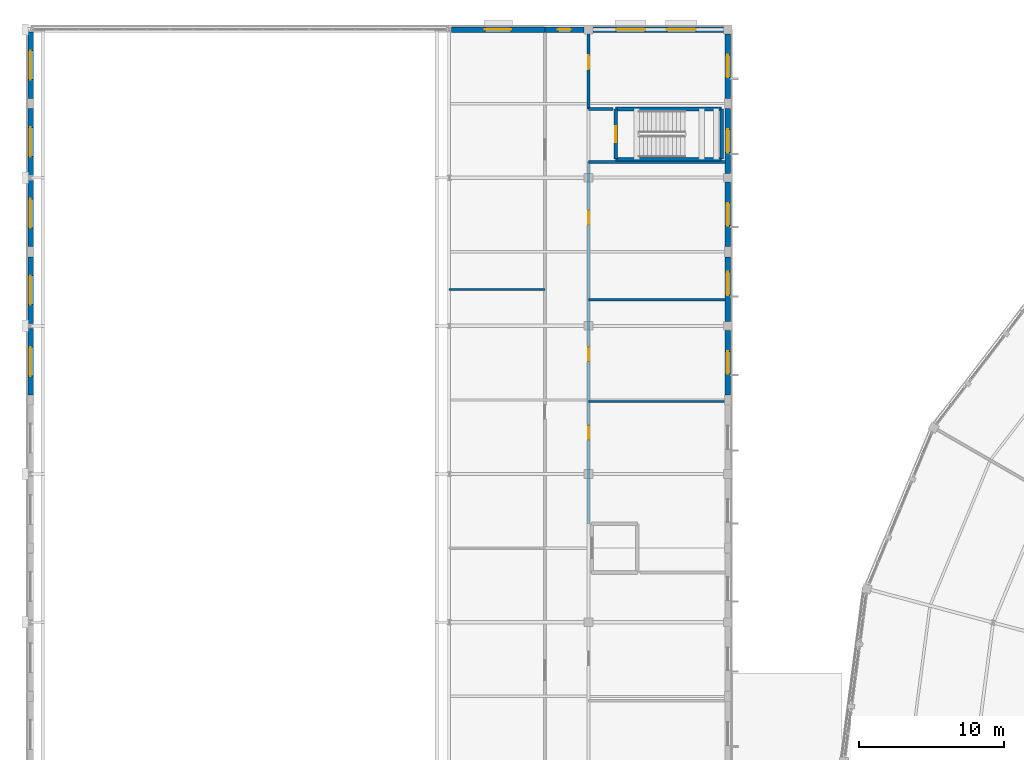
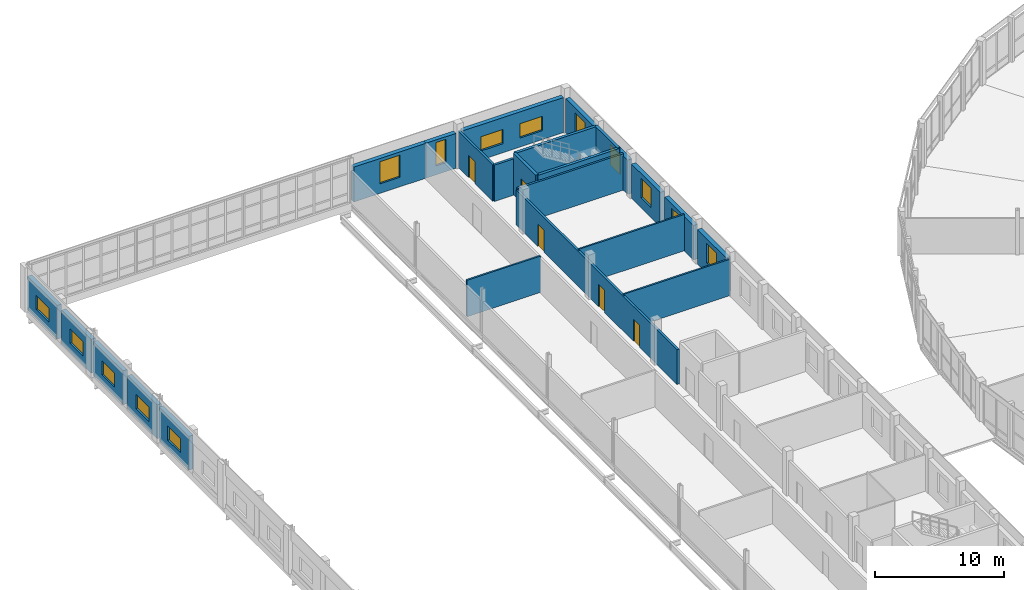
# One storey, part 143 of 170: 24 walls, 14 windows, 5 doors, 19 openings.
"""IFC4 building model written with IfcOpenShell, lengths in metres."""

from ifc_helpers import new_model, si_unit, direction, frame, frame_2d, origin, place, context, subcontext, project, spatial, rectangle, extrude, material, layer, layer_set, type_object, element, fill, save


model = new_model("IFC4")

# Units and contexts
model_context = context("Model", 3, precision=1e-05, world=origin(), true_north=direction((0.0, 1.0)))
body_context = subcontext(model_context, "Body", "Model", "MODEL_VIEW")
ifc_project = project(units=[si_unit("LENGTHUNIT", "METRE"), si_unit("AREAUNIT", "SQUARE_METRE"), si_unit("VOLUMEUNIT", "CUBIC_METRE"), si_unit("PLANEANGLEUNIT", "RADIAN"), si_unit("MASSUNIT", "GRAM", prefix="KILO")], contexts=[model_context])

# Site, building, storey
site_placement = place(None, origin())
site = spatial("IfcSite", under=ifc_project, at=site_placement, CompositionType="ELEMENT")
building_placement = place(site_placement, origin())
building = spatial("IfcBuilding", under=site, at=building_placement, Name="Vondelvale Polytechnic", CompositionType="ELEMENT")
storey_placement = place(building_placement, frame((0.0, 0.0, 5.39990234375)))
storey = spatial("IfcBuildingStorey", under=building, at=storey_placement, Name="L01", CompositionType="ELEMENT", Elevation=5.39990234375)

# Wall, opening, window
ifc_material_1 = material(Name="Amsterdam School iron-spot clinker clay brickwork", Category="masonry")
ifc_layer_1 = layer(ifc_material_1, 0.3798828125)
ifc_layer_set_1 = layer_set([ifc_layer_1], Name="WL-BRICK-380")
wall_type_1 = type_object("IfcWallType", Name="WL-BRICK-380", PredefinedType="SOLIDWALL", material=ifc_layer_set_1)
wall_1_placement = place(storey_placement, frame((0.0, 97.2509765625, 0.0), z_axis=(0.0, 0.0, 1.0), x_axis=(0.0, 1.0, 0.0)))
wall_1 = element("IfcWall", 1, at=wall_1_placement, inside=storey, type_object=wall_type_1, Name="L01 exterior masonry facade wall", PredefinedType="SOLIDWALL", context=body_context, shape_type="SweptSolid", body=[
    extrude(rectangle(XDim=4.58447265625, YDim=0.3798828125, at=frame_2d((2.292236328125, 0.0))), origin(), (0.0, 0.0, 1.0), 3.2001953125),
])
opening_1_placement = place(wall_1_placement, frame((1.292236328125, 0.0, 0.85009765625)))
opening_1 = element("IfcOpeningElement", 2, at=opening_1_placement, cuts=wall_1, Name="Opening WN-0048", PredefinedType="OPENING", context=body_context, shape_type="SweptSolid", body=[
    extrude(rectangle(XDim=2.0, YDim=1.35009765625, at=frame_2d((1.0, 0.675048828125))), frame((0.0, 0.199951171875, 0.0), z_axis=(0.0, -1.0, 0.0), x_axis=(1.0, 0.0, 0.0)), (0.0, 0.0, 1.0), 0.39990234375),
])
ifc_material_2 = material(Name="Double-glazed low-E insulated architectural glass", Category="glass")
window_type_1 = type_object("IfcWindowType", Name="WN-RIB-2000x1350", PartitioningType="SINGLE_PANEL", PredefinedType="WINDOW", material=ifc_material_2)
window_1_placement = place(opening_1_placement, origin())
window_1 = element("IfcWindow", 3, at=window_1_placement, inside=storey, type_object=window_type_1, Name="L01 double-glazed architectural window WN-0048", OverallHeight=1.35009765625, OverallWidth=2.0, PartitioningType="SINGLE_PANEL", PredefinedType="WINDOW", context=body_context, shape_type="SweptSolid", body=[
    extrude(rectangle(XDim=2.0, YDim=1.35009765625, at=frame_2d((1.0, 0.675048828125))), frame((0.0, 0.030029296875, 0.0), z_axis=(0.0, -1.0, 0.0), x_axis=(1.0, 0.0, 0.0)), (0.0, 0.0, 1.0), 0.06005859375),
])
fill(opening_1, window_1)

wall_2_placement = place(storey_placement, frame((0.0, 102.16455078125, 0.0), z_axis=(0.0, 0.0, 1.0), x_axis=(0.0, 1.0, 0.0)))
wall_2 = element("IfcWall", 4, at=wall_2_placement, inside=storey, type_object=wall_type_1, Name="L01 exterior masonry facade wall", PredefinedType="SOLIDWALL", context=body_context, shape_type="SweptSolid", body=[
    extrude(rectangle(XDim=4.58447265625, YDim=0.3798828125, at=frame_2d((2.292236328125, 0.0))), origin(), (0.0, 0.0, 1.0), 3.2001953125),
])
opening_2_placement = place(wall_2_placement, frame((1.292236328125, 0.0, 0.85009765625)))
opening_2 = element("IfcOpeningElement", 5, at=opening_2_placement, cuts=wall_2, Name="Opening WN-0049", PredefinedType="OPENING", context=body_context, shape_type="SweptSolid", body=[
    extrude(rectangle(XDim=2.0, YDim=1.35009765625, at=frame_2d((1.0, 0.675048828125))), frame((0.0, 0.199951171875, 0.0), z_axis=(0.0, -1.0, 0.0), x_axis=(1.0, 0.0, 0.0)), (0.0, 0.0, 1.0), 0.39990234375),
])
window_2_placement = place(opening_2_placement, origin())
window_2 = element("IfcWindow", 6, at=window_2_placement, inside=storey, type_object=window_type_1, Name="L01 double-glazed architectural window WN-0049", OverallHeight=1.35009765625, OverallWidth=2.0, PartitioningType="SINGLE_PANEL", PredefinedType="WINDOW", context=body_context, shape_type="SweptSolid", body=[
    extrude(rectangle(XDim=2.0, YDim=1.35009765625, at=frame_2d((1.0, 0.675048828125))), frame((0.0, 0.030029296875, 0.0), z_axis=(0.0, -1.0, 0.0), x_axis=(1.0, 0.0, 0.0)), (0.0, 0.0, 1.0), 0.06005859375),
])
fill(opening_2, window_2)

wall_3_placement = place(storey_placement, frame((0.0, 107.450927734375, 0.0), z_axis=(0.0, 0.0, 1.0), x_axis=(0.0, 1.0, 0.0)))
wall_3 = element("IfcWall", 7, at=wall_3_placement, inside=storey, type_object=wall_type_1, Name="L01 exterior masonry facade wall", PredefinedType="SOLIDWALL", context=body_context, shape_type="SweptSolid", body=[
    extrude(rectangle(XDim=4.58447265625, YDim=0.3798828125, at=frame_2d((2.292236328125, 0.0))), origin(), (0.0, 0.0, 1.0), 3.2001953125),
])
opening_3_placement = place(wall_3_placement, frame((1.292236328125, 0.0, 0.85009765625)))
opening_3 = element("IfcOpeningElement", 8, at=opening_3_placement, cuts=wall_3, Name="Opening WN-0050", PredefinedType="OPENING", context=body_context, shape_type="SweptSolid", body=[
    extrude(rectangle(XDim=2.0, YDim=1.35009765625, at=frame_2d((1.0, 0.675048828125))), frame((0.0, 0.199951171875, 0.0), z_axis=(0.0, -1.0, 0.0), x_axis=(1.0, 0.0, 0.0)), (0.0, 0.0, 1.0), 0.39990234375),
])
window_3_placement = place(opening_3_placement, origin())
window_3 = element("IfcWindow", 9, at=window_3_placement, inside=storey, type_object=window_type_1, Name="L01 double-glazed architectural window WN-0050", OverallHeight=1.35009765625, OverallWidth=2.0, PartitioningType="SINGLE_PANEL", PredefinedType="WINDOW", context=body_context, shape_type="SweptSolid", body=[
    extrude(rectangle(XDim=2.0, YDim=1.35009765625, at=frame_2d((1.0, 0.675048828125))), frame((0.0, 0.030029296875, 0.0), z_axis=(0.0, -1.0, 0.0), x_axis=(1.0, 0.0, 0.0)), (0.0, 0.0, 1.0), 0.06005859375),
])
fill(opening_3, window_3)

wall_4_placement = place(storey_placement, frame((0.0, 112.364501953125, 0.0), z_axis=(0.0, 0.0, 1.0), x_axis=(0.0, 1.0, 0.0)))
wall_4 = element("IfcWall", 10, at=wall_4_placement, inside=storey, type_object=wall_type_1, Name="L01 exterior masonry facade wall", PredefinedType="SOLIDWALL", context=body_context, shape_type="SweptSolid", body=[
    extrude(rectangle(XDim=4.58447265625, YDim=0.3798828125, at=frame_2d((2.292236328125, 0.0))), origin(), (0.0, 0.0, 1.0), 3.2001953125),
])
opening_4_placement = place(wall_4_placement, frame((1.292236328125, 0.0, 0.85009765625)))
opening_4 = element("IfcOpeningElement", 11, at=opening_4_placement, cuts=wall_4, Name="Opening WN-0051", PredefinedType="OPENING", context=body_context, shape_type="SweptSolid", body=[
    extrude(rectangle(XDim=2.0, YDim=1.35009765625, at=frame_2d((1.0, 0.675048828125))), frame((0.0, 0.199951171875, 0.0), z_axis=(0.0, -1.0, 0.0), x_axis=(1.0, 0.0, 0.0)), (0.0, 0.0, 1.0), 0.39990234375),
])
window_4_placement = place(opening_4_placement, origin())
window_4 = element("IfcWindow", 12, at=window_4_placement, inside=storey, type_object=window_type_1, Name="L01 double-glazed architectural window WN-0051", OverallHeight=1.35009765625, OverallWidth=2.0, PartitioningType="SINGLE_PANEL", PredefinedType="WINDOW", context=body_context, shape_type="SweptSolid", body=[
    extrude(rectangle(XDim=2.0, YDim=1.35009765625, at=frame_2d((1.0, 0.675048828125))), frame((0.0, 0.030029296875, 0.0), z_axis=(0.0, -1.0, 0.0), x_axis=(1.0, 0.0, 0.0)), (0.0, 0.0, 1.0), 0.06005859375),
])
fill(opening_4, window_4)

wall_5_placement = place(storey_placement, frame((0.0, 117.65087890625, 0.0), z_axis=(0.0, 0.0, 1.0), x_axis=(0.0, 1.0, 0.0)))
wall_5 = element("IfcWall", 13, at=wall_5_placement, inside=storey, type_object=wall_type_1, Name="L01 exterior masonry facade wall", PredefinedType="SOLIDWALL", context=body_context, shape_type="SweptSolid", body=[
    extrude(rectangle(XDim=4.584716796875, YDim=0.3798828125, at=frame_2d((2.29248046875, 0.0))), origin(), (0.0, 0.0, 1.0), 3.2001953125),
])
opening_5_placement = place(wall_5_placement, frame((1.292236328125, 0.0, 0.85009765625)))
opening_5 = element("IfcOpeningElement", 14, at=opening_5_placement, cuts=wall_5, Name="Opening WN-0052", PredefinedType="OPENING", context=body_context, shape_type="SweptSolid", body=[
    extrude(rectangle(XDim=2.0, YDim=1.35009765625, at=frame_2d((1.0, 0.675048828125))), frame((0.0, 0.199951171875, 0.0), z_axis=(0.0, -1.0, 0.0), x_axis=(1.0, 0.0, 0.0)), (0.0, 0.0, 1.0), 0.39990234375),
])
window_5_placement = place(opening_5_placement, origin())
window_5 = element("IfcWindow", 15, at=window_5_placement, inside=storey, type_object=window_type_1, Name="L01 double-glazed architectural window WN-0052", OverallHeight=1.35009765625, OverallWidth=2.0, PartitioningType="SINGLE_PANEL", PredefinedType="WINDOW", context=body_context, shape_type="SweptSolid", body=[
    extrude(rectangle(XDim=2.0, YDim=1.35009765625, at=frame_2d((1.0, 0.675048828125))), frame((0.0, 0.030029296875, 0.0), z_axis=(0.0, -1.0, 0.0), x_axis=(1.0, 0.0, 0.0)), (0.0, 0.0, 1.0), 0.06005859375),
])
fill(opening_5, window_5)

wall_6_placement = place(storey_placement, frame((48.0, 101.698974609375, 0.0), z_axis=(0.0, 0.0, 1.0), x_axis=(0.0, -1.0, 0.0)))
wall_6 = element("IfcWall", 16, at=wall_6_placement, inside=storey, type_object=wall_type_1, Name="L01 exterior masonry facade wall", PredefinedType="SOLIDWALL", context=body_context, shape_type="SweptSolid", body=[
    extrude(rectangle(XDim=4.447998046875, YDim=0.3798828125, at=frame_2d((2.22412109375, 0.0))), origin(), (0.0, 0.0, 1.0), 3.25),
])
opening_6_placement = place(wall_6_placement, frame((1.448974609375, 0.0, 0.949951171875)))
opening_6 = element("IfcOpeningElement", 17, at=opening_6_placement, cuts=wall_6, Name="Opening WN-0062", PredefinedType="OPENING", context=body_context, shape_type="SweptSolid", body=[
    extrude(rectangle(XDim=1.550048828125, YDim=1.85009765625, at=frame_2d((0.77490234375, 0.925048828125))), frame((0.0, 0.199951171875, 0.0), z_axis=(0.0, -1.0, 0.0), x_axis=(1.0, 0.0, 0.0)), (0.0, 0.0, 1.0), 0.39990234375),
])
window_type_2 = type_object("IfcWindowType", Name="WN-SEM-1550x1850", PartitioningType="SINGLE_PANEL", PredefinedType="WINDOW", material=ifc_material_2)
window_6_placement = place(opening_6_placement, origin())
window_6 = element("IfcWindow", 18, at=window_6_placement, inside=storey, type_object=window_type_2, Name="L01 double-glazed architectural window WN-0062", OverallHeight=1.85009765625, OverallWidth=1.550048828125, PartitioningType="SINGLE_PANEL", PredefinedType="WINDOW", context=body_context, shape_type="SweptSolid", body=[
    extrude(rectangle(XDim=1.550048828125, YDim=1.85009765625, at=frame_2d((0.77490234375, 0.925048828125))), frame((0.0, 0.030029296875, 0.0), z_axis=(0.0, -1.0, 0.0), x_axis=(1.0, 0.0, 0.0)), (0.0, 0.0, 1.0), 0.06005859375),
])
fill(opening_6, window_6)

wall_7_placement = place(storey_placement, frame((48.0, 106.7490234375, 0.0), z_axis=(0.0, 0.0, 1.0), x_axis=(0.0, -1.0, 0.0)))
wall_7 = element("IfcWall", 19, at=wall_7_placement, inside=storey, type_object=wall_type_1, Name="L01 exterior masonry facade wall", PredefinedType="SOLIDWALL", context=body_context, shape_type="SweptSolid", body=[
    extrude(rectangle(XDim=4.447998046875, YDim=0.3798828125, at=frame_2d((2.22412109375, 0.0))), origin(), (0.0, 0.0, 1.0), 3.25),
])
opening_7_placement = place(wall_7_placement, frame((1.029052734375, 0.0, 0.949951171875)))
opening_7 = element("IfcOpeningElement", 20, at=opening_7_placement, cuts=wall_7, Name="Opening WN-0063", PredefinedType="OPENING", context=body_context, shape_type="SweptSolid", body=[
    extrude(rectangle(XDim=1.60009765625, YDim=1.89990234375, at=frame_2d((0.800048828125, 0.949951171875))), frame((0.0, 0.199951171875, 0.0), z_axis=(0.0, -1.0, 0.0), x_axis=(1.0, 0.0, 0.0)), (0.0, 0.0, 1.0), 0.39990234375),
])
window_type_3 = type_object("IfcWindowType", Name="WN-SEM-1600x1900", PartitioningType="SINGLE_PANEL", PredefinedType="WINDOW", material=ifc_material_2)
window_7_placement = place(opening_7_placement, origin())
window_7 = element("IfcWindow", 21, at=window_7_placement, inside=storey, type_object=window_type_3, Name="L01 double-glazed architectural window WN-0063", OverallHeight=1.89990234375, OverallWidth=1.60009765625, PartitioningType="SINGLE_PANEL", PredefinedType="WINDOW", context=body_context, shape_type="SweptSolid", body=[
    extrude(rectangle(XDim=1.60009765625, YDim=1.89990234375, at=frame_2d((0.800048828125, 0.949951171875))), frame((0.0, 0.030029296875, 0.0), z_axis=(0.0, -1.0, 0.0), x_axis=(1.0, 0.0, 0.0)), (0.0, 0.0, 1.0), 0.06005859375),
])
fill(opening_7, window_7)

wall_8_placement = place(storey_placement, frame((48.0, 111.89892578125, 0.0), z_axis=(0.0, 0.0, 1.0), x_axis=(0.0, -1.0, 0.0)))
wall_8 = element("IfcWall", 22, at=wall_8_placement, inside=storey, type_object=wall_type_1, Name="L01 exterior masonry facade wall", PredefinedType="SOLIDWALL", context=body_context, shape_type="SweptSolid", body=[
    extrude(rectangle(XDim=4.447998046875, YDim=0.3798828125, at=frame_2d((2.22412109375, 0.0))), origin(), (0.0, 0.0, 1.0), 3.25),
])
opening_8_placement = place(wall_8_placement, frame((1.448974609375, 0.0, 0.949951171875)))
opening_8 = element("IfcOpeningElement", 23, at=opening_8_placement, cuts=wall_8, Name="Opening WN-0064", PredefinedType="OPENING", context=body_context, shape_type="SweptSolid", body=[
    extrude(rectangle(XDim=1.550048828125, YDim=1.85009765625, at=frame_2d((0.77490234375, 0.925048828125))), frame((0.0, 0.199951171875, 0.0), z_axis=(0.0, -1.0, 0.0), x_axis=(1.0, 0.0, 0.0)), (0.0, 0.0, 1.0), 0.39990234375),
])
window_8_placement = place(opening_8_placement, origin())
window_8 = element("IfcWindow", 24, at=window_8_placement, inside=storey, type_object=window_type_2, Name="L01 double-glazed architectural window WN-0064", OverallHeight=1.85009765625, OverallWidth=1.550048828125, PartitioningType="SINGLE_PANEL", PredefinedType="WINDOW", context=body_context, shape_type="SweptSolid", body=[
    extrude(rectangle(XDim=1.550048828125, YDim=1.85009765625, at=frame_2d((0.77490234375, 0.925048828125))), frame((0.0, 0.030029296875, 0.0), z_axis=(0.0, -1.0, 0.0), x_axis=(1.0, 0.0, 0.0)), (0.0, 0.0, 1.0), 0.06005859375),
])
fill(opening_8, window_8)

wall_9_placement = place(storey_placement, frame((48.0, 116.948974609375, 0.0), z_axis=(0.0, 0.0, 1.0), x_axis=(0.0, -1.0, 0.0)))
wall_9 = element("IfcWall", 25, at=wall_9_placement, inside=storey, type_object=wall_type_1, Name="L01 exterior masonry facade wall", PredefinedType="SOLIDWALL", context=body_context, shape_type="SweptSolid", body=[
    extrude(rectangle(XDim=4.447998046875, YDim=0.3798828125, at=frame_2d((2.22412109375, 0.0))), origin(), (0.0, 0.0, 1.0), 3.25),
])
opening_9_placement = place(wall_9_placement, frame((1.424072265625, 0.0, 0.949951171875)))
opening_9 = element("IfcOpeningElement", 26, at=opening_9_placement, cuts=wall_9, Name="Opening WN-0065", PredefinedType="OPENING", context=body_context, shape_type="SweptSolid", body=[
    extrude(rectangle(XDim=1.60009765625, YDim=1.89990234375, at=frame_2d((0.800048828125, 0.949951171875))), frame((0.0, 0.199951171875, 0.0), z_axis=(0.0, -1.0, 0.0), x_axis=(1.0, 0.0, 0.0)), (0.0, 0.0, 1.0), 0.39990234375),
])
window_9_placement = place(opening_9_placement, origin())
window_9 = element("IfcWindow", 27, at=window_9_placement, inside=storey, type_object=window_type_3, Name="L01 double-glazed architectural window WN-0065", OverallHeight=1.89990234375, OverallWidth=1.60009765625, PartitioningType="SINGLE_PANEL", PredefinedType="WINDOW", context=body_context, shape_type="SweptSolid", body=[
    extrude(rectangle(XDim=1.60009765625, YDim=1.89990234375, at=frame_2d((0.800048828125, 0.949951171875))), frame((0.0, 0.030029296875, 0.0), z_axis=(0.0, -1.0, 0.0), x_axis=(1.0, 0.0, 0.0)), (0.0, 0.0, 1.0), 0.06005859375),
])
fill(opening_9, window_9)

wall_10_placement = place(storey_placement, frame((48.0, 122.09912109375, 0.0), z_axis=(0.0, 0.0, 1.0), x_axis=(0.0, -1.0, 0.0)))
wall_10 = element("IfcWall", 28, at=wall_10_placement, inside=storey, type_object=wall_type_1, Name="L01 exterior masonry facade wall", PredefinedType="SOLIDWALL", context=body_context, shape_type="SweptSolid", body=[
    extrude(rectangle(XDim=4.4482421875, YDim=0.3798828125, at=frame_2d((2.22412109375, 0.0))), origin(), (0.0, 0.0, 1.0), 3.25),
])
opening_10_placement = place(wall_10_placement, frame((1.448974609375, 0.0, 0.949951171875)))
opening_10 = element("IfcOpeningElement", 29, at=opening_10_placement, cuts=wall_10, Name="Opening WN-0066", PredefinedType="OPENING", context=body_context, shape_type="SweptSolid", body=[
    extrude(rectangle(XDim=1.550048828125, YDim=1.85009765625, at=frame_2d((0.77490234375, 0.925048828125))), frame((0.0, 0.199951171875, 0.0), z_axis=(0.0, -1.0, 0.0), x_axis=(1.0, 0.0, 0.0)), (0.0, 0.0, 1.0), 0.39990234375),
])
window_10_placement = place(opening_10_placement, origin())
window_10 = element("IfcWindow", 30, at=window_10_placement, inside=storey, type_object=window_type_2, Name="L01 double-glazed architectural window WN-0066", OverallHeight=1.85009765625, OverallWidth=1.550048828125, PartitioningType="SINGLE_PANEL", PredefinedType="WINDOW", context=body_context, shape_type="SweptSolid", body=[
    extrude(rectangle(XDim=1.550048828125, YDim=1.85009765625, at=frame_2d((0.77490234375, 0.925048828125))), frame((0.0, 0.030029296875, 0.0), z_axis=(0.0, -1.0, 0.0), x_axis=(1.0, 0.0, 0.0)), (0.0, 0.0, 1.0), 0.06005859375),
])
fill(opening_10, window_10)

wall_11_placement = place(storey_placement, frame((28.964599609375, 122.39990234375, 0.0), z_axis=(0.0, 0.0, 1.0), x_axis=(1.0, 0.0, 0.0)))
wall_11 = element("IfcWall", 31, at=wall_11_placement, inside=storey, type_object=wall_type_1, Name="L01 exterior masonry facade wall", PredefinedType="SOLIDWALL", context=body_context, shape_type="SweptSolid", body=[
    extrude(rectangle(XDim=6.435302734375, YDim=0.3798828125, at=frame_2d((3.2177734375, 0.0))), origin(), (0.0, 0.0, 1.0), 3.298095703125),
])
opening_11_placement = place(wall_11_placement, frame((2.31787109375, 0.0, 0.89990234375)))
opening_11 = element("IfcOpeningElement", 32, at=opening_11_placement, cuts=wall_11, Name="Opening WN-0077", PredefinedType="OPENING", context=body_context, shape_type="SweptSolid", body=[
    extrude(rectangle(XDim=1.800048828125, YDim=2.10009765625, at=frame_2d((0.89990234375, 1.050048828125))), frame((0.0, 0.199951171875, 0.0), z_axis=(0.0, -1.0, 0.0), x_axis=(1.0, 0.0, 0.0)), (0.0, 0.0, 1.0), 0.39990234375),
])
window_type_4 = type_object("IfcWindowType", Name="WN-LAB-1800x2100", PartitioningType="SINGLE_PANEL", PredefinedType="WINDOW", material=ifc_material_2)
window_11_placement = place(opening_11_placement, origin())
window_11 = element("IfcWindow", 33, at=window_11_placement, inside=storey, type_object=window_type_4, Name="L01 double-glazed architectural window WN-0077", OverallHeight=2.10009765625, OverallWidth=1.800048828125, PartitioningType="SINGLE_PANEL", PredefinedType="WINDOW", context=body_context, shape_type="SweptSolid", body=[
    extrude(rectangle(XDim=1.800048828125, YDim=2.10009765625, at=frame_2d((0.89990234375, 1.050048828125))), frame((0.0, 0.030029296875, 0.0), z_axis=(0.0, -1.0, 0.0), x_axis=(1.0, 0.0, 0.0)), (0.0, 0.0, 1.0), 0.06005859375),
])
fill(opening_11, window_11)

wall_12_placement = place(storey_placement, frame((35.39990234375, 122.39990234375, 0.0), z_axis=(0.0, 0.0, 1.0), x_axis=(1.0, 0.0, 0.0)))
wall_12 = element("IfcWall", 34, at=wall_12_placement, inside=storey, type_object=wall_type_1, Name="L01 exterior masonry facade wall", PredefinedType="SOLIDWALL", context=body_context, shape_type="SweptSolid", body=[
    extrude(rectangle(XDim=2.69921875, YDim=0.3798828125, at=frame_2d((1.349609375, 0.0))), origin(), (0.0, 0.0, 1.0), 3.298095703125),
])
opening_12_placement = place(wall_12_placement, frame((0.8994140625, 0.0, 0.85009765625)))
opening_12 = element("IfcOpeningElement", 35, at=opening_12_placement, cuts=wall_12, Name="Opening WN-0078", PredefinedType="OPENING", context=body_context, shape_type="SweptSolid", body=[
    extrude(rectangle(XDim=0.89990234375, YDim=2.199951171875, at=frame_2d((0.449951171875, 1.10009765625))), frame((0.0, 0.199951171875, 0.0), z_axis=(0.0, -1.0, 0.0), x_axis=(1.0, 0.0, 0.0)), (0.0, 0.0, 1.0), 0.39990234375),
])
window_type_5 = type_object("IfcWindowType", Name="WN-TUR-0900x2200", PartitioningType="SINGLE_PANEL", PredefinedType="WINDOW", material=ifc_material_2)
window_12_placement = place(opening_12_placement, origin())
window_12 = element("IfcWindow", 36, at=window_12_placement, inside=storey, type_object=window_type_5, Name="L01 double-glazed architectural window WN-0078", OverallHeight=2.199951171875, OverallWidth=0.89990234375, PartitioningType="SINGLE_PANEL", PredefinedType="WINDOW", context=body_context, shape_type="SweptSolid", body=[
    extrude(rectangle(XDim=0.89990234375, YDim=2.199951171875, at=frame_2d((0.449951171875, 1.10009765625))), frame((0.0, 0.030029296875, 0.0), z_axis=(0.0, -1.0, 0.0), x_axis=(1.0, 0.0, 0.0)), (0.0, 0.0, 1.0), 0.06005859375),
])
fill(opening_12, window_12)

# Wall, openings, windows
wall_13_placement = place(storey_placement, frame((38.700927734375, 122.39990234375, 0.0), z_axis=(0.0, 0.0, 1.0), x_axis=(1.0, 0.0, 0.0)))
wall_13 = element("IfcWall", 37, at=wall_13_placement, inside=storey, type_object=wall_type_1, Name="L01 exterior masonry facade wall", PredefinedType="SOLIDWALL", context=body_context, shape_type="SweptSolid", body=[
    extrude(rectangle(XDim=8.998046875, YDim=0.3798828125, at=frame_2d((4.4990234375, 0.0))), origin(), (0.0, 0.0, 1.0), 3.320068359375),
])
opening_13_placement = place(wall_13_placement, frame((1.60009765625, 0.0, 0.85009765625)))
opening_13 = element("IfcOpeningElement", 38, at=opening_13_placement, cuts=wall_13, Name="Opening WN-0079", PredefinedType="OPENING", context=body_context, shape_type="SweptSolid", body=[
    extrude(rectangle(XDim=2.0, YDim=1.35009765625, at=frame_2d((1.0, 0.675048828125))), frame((0.0, 0.199951171875, 0.0), z_axis=(0.0, -1.0, 0.0), x_axis=(1.0, 0.0, 0.0)), (0.0, 0.0, 1.0), 0.39990234375),
])
opening_14_placement = place(wall_13_placement, frame((5.10009765625, 0.0, 0.85009765625)))
opening_14 = element("IfcOpeningElement", 39, at=opening_14_placement, cuts=wall_13, Name="Opening WN-0080", PredefinedType="OPENING", context=body_context, shape_type="SweptSolid", body=[
    extrude(rectangle(XDim=2.0, YDim=1.35009765625, at=frame_2d((1.0, 0.675048828125))), frame((0.0, 0.199951171875, 0.0), z_axis=(0.0, -1.0, 0.0), x_axis=(1.0, 0.0, 0.0)), (0.0, 0.0, 1.0), 0.39990234375),
])
window_13_placement = place(opening_13_placement, origin())
window_13 = element("IfcWindow", 40, at=window_13_placement, inside=storey, type_object=window_type_1, Name="L01 double-glazed architectural window WN-0079", OverallHeight=1.35009765625, OverallWidth=2.0, PartitioningType="SINGLE_PANEL", PredefinedType="WINDOW", context=body_context, shape_type="SweptSolid", body=[
    extrude(rectangle(XDim=2.0, YDim=1.35009765625, at=frame_2d((1.0, 0.675048828125))), frame((0.0, 0.030029296875, 0.0), z_axis=(0.0, -1.0, 0.0), x_axis=(1.0, 0.0, 0.0)), (0.0, 0.0, 1.0), 0.06005859375),
])
fill(opening_13, window_13)
window_14_placement = place(opening_14_placement, origin())
window_14 = element("IfcWindow", 41, at=window_14_placement, inside=storey, type_object=window_type_1, Name="L01 double-glazed architectural window WN-0080", OverallHeight=1.35009765625, OverallWidth=2.0, PartitioningType="SINGLE_PANEL", PredefinedType="WINDOW", context=body_context, shape_type="SweptSolid", body=[
    extrude(rectangle(XDim=2.0, YDim=1.35009765625, at=frame_2d((1.0, 0.675048828125))), frame((0.0, 0.030029296875, 0.0), z_axis=(0.0, -1.0, 0.0), x_axis=(1.0, 0.0, 0.0)), (0.0, 0.0, 1.0), 0.06005859375),
])
fill(opening_14, window_14)

# Walls
ifc_material_3 = material(Name="Concrete N40 (f'c = 40 MPa)", Category="concrete")
ifc_layer_2 = layer(ifc_material_3, 0.25)
ifc_layer_set_2 = layer_set([ifc_layer_2], Name="WL-CORE-250")
wall_type_2 = type_object("IfcWallType", Name="WL-CORE-250", PredefinedType="SOLIDWALL", material=ifc_layer_set_2)
wall_14_placement = place(storey_placement, frame((40.27490234375, 113.47509765625, 0.0), z_axis=(0.0, 0.0, 1.0), x_axis=(1.0, 0.0, 0.0)))
element("IfcWall", 42, at=wall_14_placement, inside=storey, type_object=wall_type_2, Name="L01 ST-02 reinforced concrete stair core wall", PredefinedType="SOLIDWALL", context=body_context, shape_type="SweptSolid", body=[
    extrude(rectangle(XDim=7.300048828125, YDim=0.25, at=frame_2d((3.64990234375, 0.0))), origin(), (0.0, 0.0, 1.0), 3.920166015625),
])
wall_15_placement = place(storey_placement, frame((47.574951171875, 113.47509765625, 0.0), z_axis=(0.0, 0.0, 1.0), x_axis=(0.0, 1.0, 0.0)))
element("IfcWall", 43, at=wall_15_placement, inside=storey, type_object=wall_type_2, Name="L01 ST-02 reinforced concrete stair core wall", PredefinedType="SOLIDWALL", context=body_context, shape_type="SweptSolid", body=[
    extrude(rectangle(XDim=3.449951171875, YDim=0.25, at=frame_2d((1.72509765625, 0.0))), origin(), (0.0, 0.0, 1.0), 3.920166015625),
])
wall_16_placement = place(storey_placement, frame((47.574951171875, 116.925048828125, 0.0), z_axis=(0.0, 0.0, 1.0), x_axis=(-1.0, 0.0, 0.0)))
element("IfcWall", 44, at=wall_16_placement, inside=storey, type_object=wall_type_2, Name="L01 ST-02 reinforced concrete stair core wall", PredefinedType="SOLIDWALL", context=body_context, shape_type="SweptSolid", body=[
    extrude(rectangle(XDim=7.300048828125, YDim=0.25, at=frame_2d((3.64990234375, 0.0))), origin(), (0.0, 0.0, 1.0), 3.920166015625),
])

# Wall, opening, door
wall_17_placement = place(storey_placement, frame((40.27490234375, 116.925048828125, 0.0), z_axis=(0.0, 0.0, 1.0), x_axis=(0.0, -1.0, 0.0)))
wall_17 = element("IfcWall", 45, at=wall_17_placement, inside=storey, type_object=wall_type_2, Name="L01 ST-02 reinforced concrete stair core wall", PredefinedType="SOLIDWALL", context=body_context, shape_type="SweptSolid", body=[
    extrude(rectangle(XDim=3.449951171875, YDim=0.25, at=frame_2d((1.72509765625, 0.0))), origin(), (0.0, 0.0, 1.0), 3.920166015625),
])
opening_15_placement = place(wall_17_placement, frame((1.175048828125, 0.0, 0.0)))
opening_15 = element("IfcOpeningElement", 46, at=opening_15_placement, cuts=wall_17, Name="Opening SD-007", PredefinedType="OPENING", context=body_context, shape_type="SweptSolid", body=[
    extrude(rectangle(XDim=1.10009765625, YDim=2.199951171875, at=frame_2d((0.550048828125, 1.10009765625))), frame((0.0, 0.135009765625, 0.0), z_axis=(0.0, -1.0, 0.0), x_axis=(1.0, 0.0, 0.0)), (0.0, 0.0, 1.0), 0.27001953125),
])
ifc_material_4 = material(Name="Brushed architectural stainless and zinc-coated metal")
door_type_1 = type_object("IfcDoorType", Name="DR-STAIR-1100x2200", OperationType="SINGLE_SWING_LEFT", PredefinedType="DOOR", material=ifc_material_4)
door_1_placement = place(opening_15_placement, origin())
door_1 = element("IfcDoor", 47, at=door_1_placement, inside=storey, type_object=door_type_1, Name="L01 ST-02 fire-isolated stair door", OperationType="SINGLE_SWING_LEFT", OverallHeight=2.199951171875, OverallWidth=1.10009765625, PredefinedType="DOOR", context=body_context, shape_type="SweptSolid", body=[
    extrude(rectangle(XDim=1.10009765625, YDim=2.199951171875, at=frame_2d((0.550048828125, 1.10009765625))), frame((0.0, 0.02490234375, 0.0), z_axis=(0.0, -1.0, 0.0), x_axis=(1.0, 0.0, 0.0)), (0.0, 0.0, 1.0), 0.050048828125),
])
fill(opening_15, door_1)

# Wall, openings, doors
ifc_material_5 = material(Name="Fire-rated double-layer plasterboard stud partition")
ifc_layer_3 = layer(ifc_material_5, 0.199951171875)
ifc_layer_set_3 = layer_set([ifc_layer_3], Name="WL-CORR-200")
wall_type_3 = type_object("IfcWallType", Name="WL-CORR-200", PredefinedType="PARTITIONING", material=ifc_layer_set_3)
wall_18_placement = place(storey_placement, frame((38.39990234375, 88.375, 0.0), z_axis=(0.0, 0.0, 1.0), x_axis=(0.0, 1.0, 0.0)))
wall_18 = element("IfcWall", 48, at=wall_18_placement, inside=storey, type_object=wall_type_3, Name="L01 interior acoustic partition", PredefinedType="PARTITIONING", context=body_context, shape_type="SweptSolid", body=[
    extrude(rectangle(XDim=24.89990234375, YDim=0.199951171875, at=frame_2d((12.449951171875, 0.0))), origin(), (0.0, 0.0, 1.0), 3.298095703125),
])
opening_16_placement = place(wall_18_placement, frame((5.800048828125, 0.0, 0.0)))
opening_16 = element("IfcOpeningElement", 49, at=opening_16_placement, cuts=wall_18, Name="Opening ID-0113", PredefinedType="OPENING", context=body_context, shape_type="SweptSolid", body=[
    extrude(rectangle(XDim=0.949951171875, YDim=2.10009765625, at=frame_2d((0.47509765625, 1.050048828125))), frame((0.0, 0.10986328125, 0.0), z_axis=(0.0, -1.0, 0.0), x_axis=(1.0, 0.0, 0.0)), (0.0, 0.0, 1.0), 0.219970703125),
])
opening_17_placement = place(wall_18_placement, frame((11.199951171875, 0.0, 0.0)))
opening_17 = element("IfcOpeningElement", 50, at=opening_17_placement, cuts=wall_18, Name="Opening ID-0114", PredefinedType="OPENING", context=body_context, shape_type="SweptSolid", body=[
    extrude(rectangle(XDim=0.949951171875, YDim=2.10009765625, at=frame_2d((0.47509765625, 1.050048828125))), frame((0.0, 0.10986328125, 0.0), z_axis=(0.0, -1.0, 0.0), x_axis=(1.0, 0.0, 0.0)), (0.0, 0.0, 1.0), 0.219970703125),
])
opening_18_placement = place(wall_18_placement, frame((20.60009765625, 0.0, 0.0)))
opening_18 = element("IfcOpeningElement", 51, at=opening_18_placement, cuts=wall_18, Name="Opening ID-0115", PredefinedType="OPENING", context=body_context, shape_type="SweptSolid", body=[
    extrude(rectangle(XDim=0.949951171875, YDim=2.10009765625, at=frame_2d((0.47509765625, 1.050048828125))), frame((0.0, 0.10986328125, 0.0), z_axis=(0.0, -1.0, 0.0), x_axis=(1.0, 0.0, 0.0)), (0.0, 0.0, 1.0), 0.219970703125),
])
ifc_material_6 = material(Name="Fire-rated solid Tasmanian oak joinery")
door_type_2 = type_object("IfcDoorType", Name="DR-INT-0950x2100", OperationType="SINGLE_SWING_LEFT", PredefinedType="DOOR", material=ifc_material_6)
door_2_placement = place(opening_16_placement, origin())
door_2 = element("IfcDoor", 52, at=door_2_placement, inside=storey, type_object=door_type_2, Name="L01 interior room door ID-0113", OperationType="SINGLE_SWING_LEFT", OverallHeight=2.10009765625, OverallWidth=0.949951171875, PredefinedType="DOOR", context=body_context, shape_type="SweptSolid", body=[
    extrude(rectangle(XDim=0.949951171875, YDim=2.10009765625, at=frame_2d((0.47509765625, 1.050048828125))), frame((0.0, 0.02490234375, 0.0), z_axis=(0.0, -1.0, 0.0), x_axis=(1.0, 0.0, 0.0)), (0.0, 0.0, 1.0), 0.050048828125),
])
fill(opening_16, door_2)
door_3_placement = place(opening_17_placement, origin())
door_3 = element("IfcDoor", 53, at=door_3_placement, inside=storey, type_object=door_type_2, Name="L01 interior room door ID-0114", OperationType="SINGLE_SWING_RIGHT", OverallHeight=2.10009765625, OverallWidth=0.949951171875, PredefinedType="DOOR", context=body_context, shape_type="SweptSolid", body=[
    extrude(rectangle(XDim=0.949951171875, YDim=2.10009765625, at=frame_2d((0.47509765625, 1.050048828125))), frame((0.0, 0.02490234375, 0.0), z_axis=(0.0, -1.0, 0.0), x_axis=(1.0, 0.0, 0.0)), (0.0, 0.0, 1.0), 0.050048828125),
])
fill(opening_17, door_3)
door_4_placement = place(opening_18_placement, origin())
door_4 = element("IfcDoor", 54, at=door_4_placement, inside=storey, type_object=door_type_2, Name="L01 interior room door ID-0115", OperationType="SINGLE_SWING_LEFT", OverallHeight=2.10009765625, OverallWidth=0.949951171875, PredefinedType="DOOR", context=body_context, shape_type="SweptSolid", body=[
    extrude(rectangle(XDim=0.949951171875, YDim=2.10009765625, at=frame_2d((0.47509765625, 1.050048828125))), frame((0.0, 0.02490234375, 0.0), z_axis=(0.0, -1.0, 0.0), x_axis=(1.0, 0.0, 0.0)), (0.0, 0.0, 1.0), 0.050048828125),
])
fill(opening_18, door_4)

# Walls
wall_19_placement = place(storey_placement, frame((38.39990234375, 113.27490234375, 0.0), z_axis=(0.0, 0.0, 1.0), x_axis=(1.0, 0.0, 0.0)))
element("IfcWall", 55, at=wall_19_placement, inside=storey, type_object=wall_type_3, Name="L01 interior acoustic partition", PredefinedType="PARTITIONING", context=body_context, shape_type="SweptSolid", body=[
    extrude(rectangle(XDim=9.4501953125, YDim=0.199951171875, at=frame_2d((4.72509765625, 0.0))), origin(), (0.0, 0.0, 1.0), 3.443115234375),
])
wall_20_placement = place(storey_placement, frame((38.39990234375, 116.925048828125, 0.0), z_axis=(0.0, 0.0, 1.0), x_axis=(1.0, 0.0, 0.0)))
element("IfcWall", 56, at=wall_20_placement, inside=storey, type_object=wall_type_3, Name="L01 interior acoustic partition", PredefinedType="PARTITIONING", context=body_context, shape_type="SweptSolid", body=[
    extrude(rectangle(XDim=1.710205078125, YDim=0.199951171875, at=frame_2d((0.85498046875, 0.0))), origin(), (0.0, 0.0, 1.0), 3.443115234375),
])

# Wall, opening, door
wall_21_placement = place(storey_placement, frame((38.39990234375, 116.925048828125, 0.0), z_axis=(0.0, 0.0, 1.0), x_axis=(0.0, 1.0, 0.0)))
wall_21 = element("IfcWall", 57, at=wall_21_placement, inside=storey, type_object=wall_type_3, Name="L01 interior acoustic partition", PredefinedType="PARTITIONING", context=body_context, shape_type="SweptSolid", body=[
    extrude(rectangle(XDim=5.324951171875, YDim=0.199951171875, at=frame_2d((2.66259765625, 0.0))), origin(), (0.0, 0.0, 1.0), 3.443115234375),
])
opening_19_placement = place(wall_21_placement, frame((2.75, 0.0, 0.0)))
opening_19 = element("IfcOpeningElement", 58, at=opening_19_placement, cuts=wall_21, Name="Opening ID-0116", PredefinedType="OPENING", context=body_context, shape_type="SweptSolid", body=[
    extrude(rectangle(XDim=0.949951171875, YDim=2.10009765625, at=frame_2d((0.47509765625, 1.050048828125))), frame((0.0, 0.10986328125, 0.0), z_axis=(0.0, -1.0, 0.0), x_axis=(1.0, 0.0, 0.0)), (0.0, 0.0, 1.0), 0.219970703125),
])
door_5_placement = place(opening_19_placement, origin())
door_5 = element("IfcDoor", 59, at=door_5_placement, inside=storey, type_object=door_type_2, Name="L01 interior room door ID-0116", OperationType="SINGLE_SWING_RIGHT", OverallHeight=2.10009765625, OverallWidth=0.949951171875, PredefinedType="DOOR", context=body_context, shape_type="SweptSolid", body=[
    extrude(rectangle(XDim=0.949951171875, YDim=2.10009765625, at=frame_2d((0.47509765625, 1.050048828125))), frame((0.0, 0.02490234375, 0.0), z_axis=(0.0, -1.0, 0.0), x_axis=(1.0, 0.0, 0.0)), (0.0, 0.0, 1.0), 0.050048828125),
])
fill(opening_19, door_5)

# Walls
ifc_layer_4 = layer(ifc_material_5, 0.14990234375)
ifc_layer_set_4 = layer_set([ifc_layer_4], Name="WL-INT-150")
wall_type_4 = type_object("IfcWallType", Name="WL-INT-150", PredefinedType="PARTITIONING", material=ifc_layer_set_4)
wall_22_placement = place(storey_placement, frame((28.800048828125, 104.5, 0.0), z_axis=(0.0, 0.0, 1.0), x_axis=(1.0, 0.0, 0.0)))
element("IfcWall", 60, at=wall_22_placement, inside=storey, type_object=wall_type_4, Name="L01 interior acoustic partition", PredefinedType="PARTITIONING", context=body_context, shape_type="SweptSolid", body=[
    extrude(rectangle(XDim=6.599853515625, YDim=0.14990234375, at=frame_2d((3.2998046875, 0.0))), origin(), (0.0, 0.0, 1.0), 3.443115234375),
])
for number, where, z_axis, x_axis, name in (
    (61, (38.39990234375, 96.800048828125, 0.0), (0.0, 0.0, 1.0), (1.0, 0.0, 0.0), "L01 interior acoustic partition"),
    (62, (38.39990234375, 103.800048828125, 0.0), (0.0, 0.0, 1.0), (1.0, 0.0, 0.0), "L01 interior acoustic partition"),
):
    element("IfcWall", number, at=place(storey_placement, frame(where, z_axis=z_axis, x_axis=x_axis)), inside=storey, type_object=wall_type_4, Name=name, PredefinedType="PARTITIONING", context=body_context, shape_type="SweptSolid", body=[
        extrude(rectangle(XDim=9.4501953125, YDim=0.14990234375, at=frame_2d((4.72509765625, 0.0))), origin(), (0.0, 0.0, 1.0), 3.443115234375),
    ])

save(model, "model.ifc")
